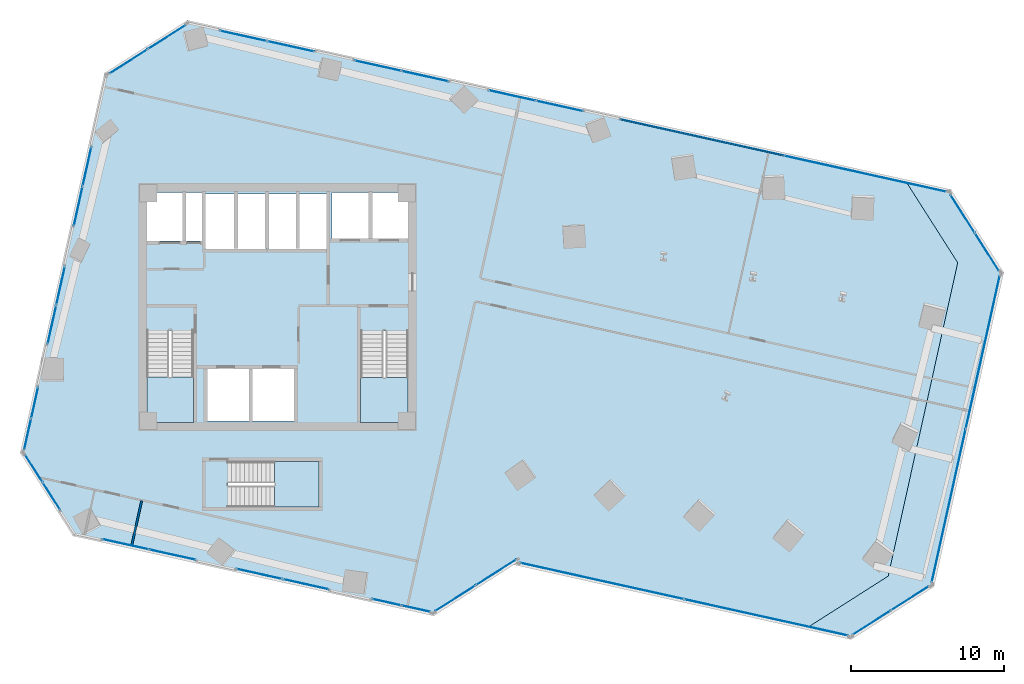
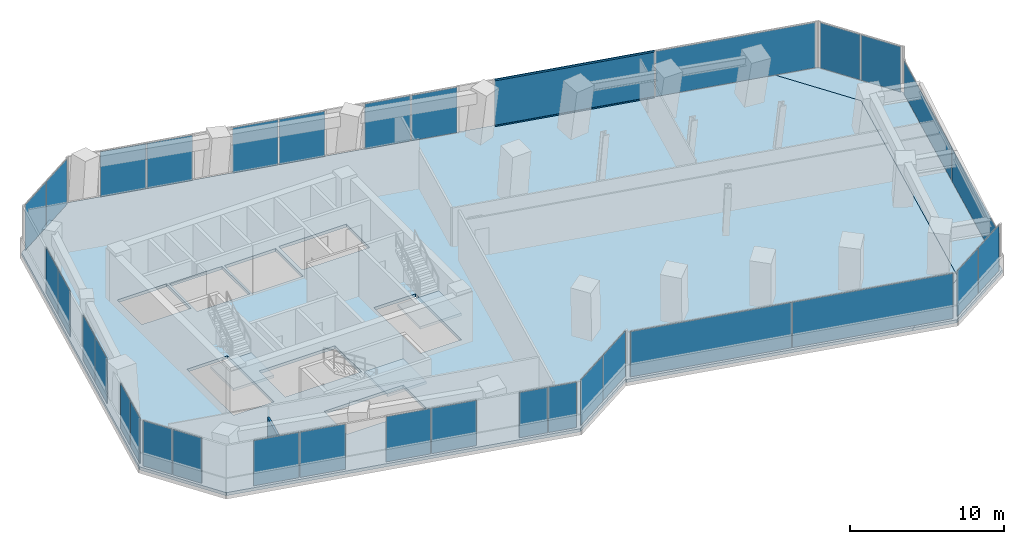
# One storey, part 19 of 25: 34 plates, 5 slabs, 2 members, 1 wall, 20 elements without a shape of their own.
"""IFC4 building model written with IfcOpenShell, lengths in metres."""

from ifc_helpers import new_model, si_unit, direction, frame, frame_2d, origin, origin_2d, place, context, subcontext, project, spatial, polyline, rectangle, hollow_rectangle, outline, extrude, source, transform, mapped, material, layer, layer_set, material_profile, profile_set, type_object, element, aggregate, save


model = new_model("IFC4")

# Units and contexts
model_context = context("Model", 3, precision=1e-05, world=origin(), true_north=direction((0.0, 1.0)))
body_context = subcontext(model_context, "Body", "Model", "MODEL_VIEW")
ifc_project = project(units=[si_unit("LENGTHUNIT", "METRE"), si_unit("AREAUNIT", "SQUARE_METRE"), si_unit("VOLUMEUNIT", "CUBIC_METRE"), si_unit("PLANEANGLEUNIT", "RADIAN"), si_unit("MASSUNIT", "GRAM", prefix="KILO")], contexts=[model_context])

# Site, building, storey
site_placement = place(None, origin())
site = spatial("IfcSite", under=ifc_project, at=site_placement, CompositionType="ELEMENT")
building_placement = place(site_placement, origin())
building = spatial("IfcBuilding", under=site, at=building_placement, Name="Torre Montelarca", CompositionType="ELEMENT")
storey_placement = place(building_placement, frame((0.0, 0.0, 91.60009765625)))
storey = spatial("IfcBuildingStorey", under=building, at=storey_placement, Name="L20", CompositionType="ELEMENT", Elevation=91.60009765625)

# Curtain wall, members
ifc_material_1 = material(Name="Insulated low-E laminated glass", Category="glass")
curtain_wall_type = type_object("IfcCurtainWallType", Name="CW-SYS-Z1", PredefinedType="USERDEFINED", material=ifc_material_1)
curtain_wall_1_placement = place(storey_placement, origin())
curtain_wall_1 = element("IfcCurtainWall", 1, at=curtain_wall_1_placement, inside=storey, type_object=curtain_wall_type, Name="L20 Curtain Wall Run CW-T3-L20-E08-B1", ObjectType="UNITISED GLAZING", PredefinedType="USERDEFINED")
ifc_material_2 = material(Name="Anodised aluminium AA 6063-T6", Category="aluminium")
ifc_material_profile = material_profile(ifc_material_2, hollow_rectangle(XDim=0.06494140625, YDim=0.139892578125, WallThickness=0.00390625, InnerFilletRadius=0.00390625, OuterFilletRadius=0.008056640625, at=origin_2d()), Name="ALU65X140X4", Category="aluminium")
ifc_profile_set = profile_set([ifc_material_profile], Name="Anodised aluminium AA 6063-T6")
member_type = type_object("IfcMemberType", Name="CWT-ALU140", PredefinedType="USERDEFINED", material=ifc_profile_set)
shared_shape_1 = source(origin(), body_context, "Body", "SweptSolid", [
    extrude(hollow_rectangle(XDim=0.06494140625, YDim=0.139892578125, WallThickness=0.00390625, InnerFilletRadius=0.00390625, OuterFilletRadius=0.008056640625, at=origin_2d()), origin(), (0.0, 0.0, 1.0), 10.873046875),
])
member_1_placement = place(storey_placement, frame((51.075927734375, 41.9033203125, 0.032470703125), z_axis=(-0.976297354278, 0.21643353721, 0.0), x_axis=(-0.21643353721, -0.976297354278, 0.0)))
member_1 = element("IfcMember", 2, at=member_1_placement, type_object=member_type, Name="CW transom 2.1", ObjectType="TRANSOM", PredefinedType="USERDEFINED", context=body_context, shape_type="MappedRepresentation", body=[
    mapped(shared_shape_1, transform((0.0, 0.0, 0.0), scale=1.0)),
])
member_2_placement = place(storey_placement, frame((51.075927734375, 41.9033203125, 3.6875), z_axis=(-0.976297354278, 0.21643353721, 0.0), x_axis=(-0.21643353721, -0.976297354278, 0.0)))
member_2 = element("IfcMember", 3, at=member_2_placement, type_object=member_type, Name="CW transom 2.2", ObjectType="TRANSOM", PredefinedType="USERDEFINED", context=body_context, shape_type="MappedRepresentation", body=[
    mapped(shared_shape_1, transform((0.0, 0.0, 0.0), scale=1.0)),
])

# Slabs
ifc_material_3 = material(Name="Concrete C40/50", Category="concrete")
ifc_layer_1 = layer(ifc_material_3, 0.239990234375, Name="Concrete C40/50", Category="concrete")
ifc_layer_set_1 = layer_set([ifc_layer_1], Name="Concrete C40/50")
slab_type_1 = type_object("IfcSlabType", Name="SL-FLR-240", PredefinedType="FLOOR", material=ifc_layer_set_1)
slab_1_placement = place(storey_placement, frame((0.0, 0.0, -0.239990234375)))
element("IfcSlab", 4, at=slab_1_placement, inside=storey, type_object=slab_type_1, Name="L20 Structural Floor Slab", PredefinedType="FLOOR", context=body_context, shape_type="SweptSolid", body=[
    extrude(outline(polyline([(28.202392578125, 11.872314453125), (33.569580078125, 15.29150390625), (33.548095703125, 15.19384765625), (52.5859375, 10.973388671875), (57.953125, 14.392578125), (62.498291015625, 34.89501953125), (59.0791015625, 40.26220703125), (12.119140625, 50.673095703125), (6.751953125, 47.253662109375), (1.25439453125, 22.455810546875), (4.673583984375, 17.08837890625), (28.202392578125, 11.872314453125)]), holes=[polyline([(20.699951171875, 18.89990234375), (14.760009765625, 18.89990234375), (14.760009765625, 21.889892578125), (20.699951171875, 21.889892578125), (20.699951171875, 18.89990234375)]), polyline([(19.10009765625, 24.550048828125), (13.39990234375, 24.550048828125), (13.39990234375, 27.949951171875), (19.10009765625, 27.949951171875), (19.10009765625, 24.550048828125)]), polyline([(23.43994140625, 24.449951171875), (23.43994140625, 30.429931640625), (26.550048828125, 30.429931640625), (26.550048828125, 24.449951171875), (23.43994140625, 24.449951171875)]), polyline([(9.449951171875, 24.449951171875), (9.449951171875, 30.4599609375), (12.5, 30.4599609375), (12.5, 24.449951171875), (9.449951171875, 24.449951171875)]), polyline([(17.25, 35.800048828125), (13.300048828125, 35.800048828125), (13.300048828125, 39.39990234375), (17.25, 39.39990234375), (17.25, 35.800048828125)]), polyline([(21.25, 35.800048828125), (17.39990234375, 35.800048828125), (17.39990234375, 39.39990234375), (21.25, 39.39990234375), (21.25, 35.800048828125)]), polyline([(13.1201171875, 36.300048828125), (9.449951171875, 36.300048828125), (9.449951171875, 39.5), (13.1201171875, 39.5), (13.1201171875, 36.300048828125)]), polyline([(26.60009765625, 36.449951171875), (21.550048828125, 36.449951171875), (21.550048828125, 39.5), (26.60009765625, 39.5), (26.60009765625, 36.449951171875)])]), origin(), (0.0, 0.0, 1.0), 0.239990234375),
])
slab_2_placement = place(storey_placement, frame((0.0, 0.0, -0.239990234375)))
element("IfcSlab", 5, at=slab_2_placement, inside=storey, type_object=slab_type_1, Name="L20 Sliding Tray Winter Garden Floor Slab E1", PredefinedType="FLOOR", context=body_context, shape_type="SweptSolid", body=[
    extrude(outline(polyline([(59.0791015625, 40.26220703125), (62.498291015625, 34.89501953125), (57.953125, 14.392578125), (52.5859375, 10.973388671875), (55.514892578125, 10.32421875), (60.882080078125, 13.743408203125), (65.42724609375, 34.24560546875), (62.0078125, 39.61279296875), (59.0791015625, 40.26220703125)])), origin(), (0.0, 0.0, 1.0), 0.239990234375),
])

# Stair, slab
stair_type_1 = type_object("IfcStairType", Name="ST-CORE-ST1", PredefinedType="HALF_TURN_STAIR", material=ifc_material_3)
stair_1_placement = place(storey_placement, origin())
stair_1 = element("IfcStair", 6, at=stair_1_placement, inside=storey, type_object=stair_type_1, Name="L20 Protected Exit Stair ST1", PredefinedType="HALF_TURN_STAIR")
ifc_layer_2 = layer(ifc_material_3, 0.199951171875, Name="Concrete C40/50", Category="concrete")
ifc_layer_set_2 = layer_set([ifc_layer_2], Name="Concrete C40/50")
slab_type_2 = type_object("IfcSlabType", Name="SL-ST-LAND-ST1", PredefinedType="LANDING", material=ifc_layer_set_2)
slab_3_placement = place(storey_placement, frame((0.0, 0.0, 1.89990234375)))
slab_3 = element("IfcSlab", 7, at=slab_3_placement, type_object=slab_type_2, Name="ST1 landing 1", PredefinedType="LANDING", context=body_context, shape_type="SweptSolid", body=[
    extrude(outline(polyline([(9.449951171875, 27.419921875), (9.449951171875, 24.449951171875), (12.5, 24.449951171875), (12.5, 27.419921875), (9.449951171875, 27.419921875)])), origin(), (0.0, 0.0, 1.0), 0.199951171875),
])
aggregate(stair_1, [slab_3])

stair_type_2 = type_object("IfcStairType", Name="ST-CORE-ST2", PredefinedType="HALF_TURN_STAIR", material=ifc_material_3)
stair_2_placement = place(storey_placement, origin())
stair_2 = element("IfcStair", 8, at=stair_2_placement, inside=storey, type_object=stair_type_2, Name="L20 Protected Exit Stair ST2", PredefinedType="HALF_TURN_STAIR")
ifc_layer_3 = layer(ifc_material_3, 0.199951171875, Name="Concrete C40/50", Category="concrete")
ifc_layer_set_3 = layer_set([ifc_layer_3], Name="Concrete C40/50")
slab_type_3 = type_object("IfcSlabType", Name="SL-ST-LAND-ST2", PredefinedType="LANDING", material=ifc_layer_set_3)
slab_4_placement = place(storey_placement, frame((0.0, 0.0, 1.89990234375)))
slab_4 = element("IfcSlab", 9, at=slab_4_placement, type_object=slab_type_3, Name="ST2 landing 1", PredefinedType="LANDING", context=body_context, shape_type="SweptSolid", body=[
    extrude(outline(polyline([(23.43994140625, 27.389892578125), (23.43994140625, 24.449951171875), (26.550048828125, 24.449951171875), (26.550048828125, 27.389892578125), (23.43994140625, 27.389892578125)])), origin(), (0.0, 0.0, 1.0), 0.199951171875),
])
aggregate(stair_2, [slab_4])

stair_type_3 = type_object("IfcStairType", Name="ST-CORE-ST3", PredefinedType="HALF_TURN_STAIR", material=ifc_material_3)
stair_3_placement = place(storey_placement, origin())
stair_3 = element("IfcStair", 10, at=stair_3_placement, inside=storey, type_object=stair_type_3, Name="L20 Low-Rise Exit Stair ST3", PredefinedType="HALF_TURN_STAIR")
ifc_layer_4 = layer(ifc_material_3, 0.199951171875, Name="Concrete C40/50", Category="concrete")
ifc_layer_set_4 = layer_set([ifc_layer_4], Name="Concrete C40/50")
slab_type_4 = type_object("IfcSlabType", Name="SL-ST-LAND-ST3", PredefinedType="LANDING", material=ifc_layer_set_4)
slab_5_placement = place(storey_placement, frame((0.0, 0.0, 1.89990234375)))
slab_5 = element("IfcSlab", 11, at=slab_5_placement, type_object=slab_type_4, Name="ST3 landing 1", PredefinedType="LANDING", context=body_context, shape_type="SweptSolid", body=[
    extrude(outline(polyline([(17.800048828125, 18.89990234375), (20.699951171875, 18.89990234375), (20.699951171875, 21.889892578125), (17.800048828125, 21.889892578125), (17.800048828125, 18.89990234375)])), origin(), (0.0, 0.0, 1.0), 0.199951171875),
])
aggregate(stair_3, [slab_5])

# Curtain wall, plates
curtain_wall_2_placement = place(storey_placement, origin())
curtain_wall_2 = element("IfcCurtainWall", 12, at=curtain_wall_2_placement, inside=storey, type_object=curtain_wall_type, Name="L20 Curtain Wall Run CW-T3-L20-E02-B1", ObjectType="UNITISED GLAZING", PredefinedType="USERDEFINED")
ifc_layer_5 = layer(ifc_material_1, 0.028076171875, Name="Insulated low-E laminated glass", Category="glass")
ifc_layer_set_5 = layer_set([ifc_layer_5], Name="Insulated low-E laminated glass")
plate_type = type_object("IfcPlateType", Name="CWP-GLZ-28", PredefinedType="CURTAIN_PANEL", material=ifc_layer_set_5)
shared_shape_2 = source(origin(), body_context, "Body", "SweptSolid", [
    extrude(rectangle(XDim=3.102294921875, YDim=0.028076171875, at=origin_2d()), origin(), (0.0, 0.0, 1.0), 3.590087890625),
])
plate_1_placement = place(storey_placement, frame((29.635498046875, 12.939208984375, 0.06494140625), z_axis=(0.0, 0.0, 1.0), x_axis=(0.843383425571, 0.537312197398, 0.0)))
plate_1 = element("IfcPlate", 13, at=plate_1_placement, type_object=plate_type, Name="CW panel 1.1", PredefinedType="CURTAIN_PANEL", context=body_context, shape_type="MappedRepresentation", body=[
    mapped(shared_shape_2, transform((0.0, 0.0, 0.0), scale=1.0)),
])
plate_2_placement = place(storey_placement, frame((32.306884765625, 14.64111328125, 0.06494140625), z_axis=(0.0, 0.0, 1.0), x_axis=(0.843383425571, 0.537312197398, 0.0)))
plate_2 = element("IfcPlate", 14, at=plate_2_placement, type_object=plate_type, Name="CW panel 2.1", PredefinedType="CURTAIN_PANEL", context=body_context, shape_type="MappedRepresentation", body=[
    mapped(shared_shape_2, transform((0.0, 0.0, 0.0), scale=1.0)),
])
aggregate(curtain_wall_2, [plate_1, plate_2])

curtain_wall_3_placement = place(storey_placement, origin())
curtain_wall_3 = element("IfcCurtainWall", 15, at=curtain_wall_3_placement, inside=storey, type_object=curtain_wall_type, Name="L20 Curtain Wall Run CW-T3-L20-E04-B1", ObjectType="UNITISED GLAZING", PredefinedType="USERDEFINED")
shared_shape_3 = source(origin(), body_context, "Body", "SweptSolid", [
    extrude(rectangle(XDim=10.94873046875, YDim=0.028076171875, at=origin_2d()), origin(), (0.0, 0.0, 1.0), 3.590087890625),
])
plate_3_placement = place(storey_placement, frame((39.220458984375, 14.069580078125, 0.06494140625), z_axis=(0.0, 0.0, 1.0), x_axis=(0.976296635237, -0.216436780664, 0.0)))
plate_3 = element("IfcPlate", 16, at=plate_3_placement, type_object=plate_type, Name="CW panel 1.1", PredefinedType="CURTAIN_PANEL", context=body_context, shape_type="MappedRepresentation", body=[
    mapped(shared_shape_3, transform((0.0, 0.0, 0.0), scale=1.0)),
])
plate_4_placement = place(storey_placement, frame((49.97314453125, 11.685791015625, 0.06494140625), z_axis=(0.0, 0.0, 1.0), x_axis=(0.976296635237, -0.216436780664, 0.0)))
plate_4 = element("IfcPlate", 17, at=plate_4_placement, type_object=plate_type, Name="CW panel 2.1", PredefinedType="CURTAIN_PANEL", context=body_context, shape_type="MappedRepresentation", body=[
    mapped(shared_shape_3, transform((0.0, 0.0, 0.0), scale=1.0)),
])
aggregate(curtain_wall_3, [plate_3, plate_4])

curtain_wall_4_placement = place(storey_placement, origin())
curtain_wall_4 = element("IfcCurtainWall", 18, at=curtain_wall_4_placement, inside=storey, type_object=curtain_wall_type, Name="L20 Curtain Wall Run CW-T3-L20-E05-B1", ObjectType="UNITISED GLAZING", PredefinedType="USERDEFINED")
shared_shape_4 = source(origin(), body_context, "Body", "SweptSolid", [
    extrude(rectangle(XDim=2.918701171875, YDim=0.028076171875, at=origin_2d()), origin(), (0.0, 0.0, 1.0), 3.590087890625),
])
plate_5_placement = place(storey_placement, frame((56.870361328125, 11.341796875, 0.06494140625), z_axis=(0.0, 0.0, 1.0), x_axis=(0.843388340222, 0.537304483117, 0.0)))
plate_5 = element("IfcPlate", 19, at=plate_5_placement, type_object=plate_type, Name="CW panel 1.1", PredefinedType="CURTAIN_PANEL", context=body_context, shape_type="MappedRepresentation", body=[
    mapped(shared_shape_4, transform((0.0, 0.0, 0.0), scale=1.0)),
])
plate_6_placement = place(storey_placement, frame((59.38671875, 12.945068359375, 0.06494140625), z_axis=(0.0, 0.0, 1.0), x_axis=(0.843388340222, 0.537304483117, 0.0)))
plate_6 = element("IfcPlate", 20, at=plate_6_placement, type_object=plate_type, Name="CW panel 2.1", PredefinedType="CURTAIN_PANEL", context=body_context, shape_type="MappedRepresentation", body=[
    mapped(shared_shape_4, transform((0.0, 0.0, 0.0), scale=1.0)),
])
aggregate(curtain_wall_4, [plate_5, plate_6])

curtain_wall_5_placement = place(storey_placement, origin())
curtain_wall_5 = element("IfcCurtainWall", 21, at=curtain_wall_5_placement, inside=storey, type_object=curtain_wall_type, Name="L20 Curtain Wall Run CW-T3-L20-E07-B1", ObjectType="UNITISED GLAZING", PredefinedType="USERDEFINED")
plate_7_placement = place(storey_placement, frame((64.409423828125, 35.601318359375, 0.06494140625), z_axis=(0.0, 0.0, 1.0), x_axis=(-0.537316274487, 0.843380828079, 0.0)))
plate_7 = element("IfcPlate", 22, at=plate_7_placement, type_object=plate_type, Name="CW panel 1.1", PredefinedType="CURTAIN_PANEL", context=body_context, shape_type="MappedRepresentation", body=[
    mapped(shared_shape_4, transform((0.0, 0.0, 0.0), scale=1.0)),
])
plate_8_placement = place(storey_placement, frame((62.806396484375, 38.11767578125, 0.06494140625), z_axis=(0.0, 0.0, 1.0), x_axis=(-0.537316274487, 0.843380828079, 0.0)))
plate_8 = element("IfcPlate", 23, at=plate_8_placement, type_object=plate_type, Name="CW panel 2.1", PredefinedType="CURTAIN_PANEL", context=body_context, shape_type="MappedRepresentation", body=[
    mapped(shared_shape_4, transform((0.0, 0.0, 0.0), scale=1.0)),
])
aggregate(curtain_wall_5, [plate_7, plate_8])

curtain_wall_6_placement = place(storey_placement, origin())
curtain_wall_6 = element("IfcCurtainWall", 24, at=curtain_wall_6_placement, inside=storey, type_object=curtain_wall_type, Name="L20 Curtain Wall Run CW-T3-L20-E09-B1", ObjectType="UNITISED GLAZING", PredefinedType="USERDEFINED")
plate_9_placement = place(storey_placement, frame((10.763671875, 49.6552734375, 0.06494140625), z_axis=(0.0, 0.0, 1.0), x_axis=(-0.843380828079, -0.537316274487, 0.0)))
plate_9 = element("IfcPlate", 25, at=plate_9_placement, type_object=plate_type, Name="CW panel 1.1", PredefinedType="CURTAIN_PANEL", context=body_context, shape_type="MappedRepresentation", body=[
    mapped(shared_shape_4, transform((0.0, 0.0, 0.0), scale=1.0)),
])
plate_10_placement = place(storey_placement, frame((8.247314453125, 48.052001953125, 0.06494140625), z_axis=(0.0, 0.0, 1.0), x_axis=(-0.843380828079, -0.537316274487, 0.0)))
plate_10 = element("IfcPlate", 26, at=plate_10_placement, type_object=plate_type, Name="CW panel 2.1", PredefinedType="CURTAIN_PANEL", context=body_context, shape_type="MappedRepresentation", body=[
    mapped(shared_shape_4, transform((0.0, 0.0, 0.0), scale=1.0)),
])
aggregate(curtain_wall_6, [plate_9, plate_10])

# Plate
shared_shape_5 = source(origin(), body_context, "Body", "SweptSolid", [
    extrude(rectangle(XDim=10.872802734375, YDim=0.028076171875, at=origin_2d()), origin(), (0.0, 0.0, 1.0), 3.590087890625),
])
plate_11_placement = place(storey_placement, frame((56.44677734375, 40.712646484375, 0.06494140625), z_axis=(0.0, 0.0, 1.0), x_axis=(-0.976295358863, 0.216442538014, 0.0)))
plate_11 = element("IfcPlate", 27, at=plate_11_placement, type_object=plate_type, Name="CW panel 1.1", PredefinedType="CURTAIN_PANEL", context=body_context, shape_type="MappedRepresentation", body=[
    mapped(shared_shape_5, transform((0.0, 0.0, 0.0), scale=1.0)),
])

plate_12_placement = place(storey_placement, frame((45.768310546875, 43.080078125, 0.06494140625), z_axis=(0.0, 0.0, 1.0), x_axis=(-0.976295358863, 0.216442538014, 0.0)))
plate_12 = element("IfcPlate", 28, at=plate_12_placement, type_object=plate_type, Name="CW panel 2.1", PredefinedType="CURTAIN_PANEL", context=body_context, shape_type="MappedRepresentation", body=[
    mapped(shared_shape_5, transform((0.0, 0.0, 0.0), scale=1.0)),
])

aggregate(curtain_wall_1, [plate_11, member_1, member_2, plate_12])

# Curtain wall, plates
curtain_wall_7_placement = place(storey_placement, origin())
curtain_wall_7 = element("IfcCurtainWall", 29, at=curtain_wall_7_placement, inside=storey, type_object=curtain_wall_type, Name="L20 Curtain Wall Run CW-T3-L20-E08-B2", ObjectType="UNITISED GLAZING", PredefinedType="USERDEFINED")
shared_shape_6 = source(origin(), body_context, "Body", "SweptSolid", [
    extrude(rectangle(XDim=3.10791015625, YDim=0.028076171875, at=origin_2d()), origin(), (0.0, 0.0, 1.0), 3.590087890625),
])
plate_13_placement = place(storey_placement, frame((36.45068359375, 45.1455078125, 0.06494140625), z_axis=(0.0, 0.0, 1.0), x_axis=(-0.976294844373, 0.216444858684, 0.0)))
plate_13 = element("IfcPlate", 30, at=plate_13_placement, type_object=plate_type, Name="CW panel 1.1", PredefinedType="CURTAIN_PANEL", context=body_context, shape_type="MappedRepresentation", body=[
    mapped(shared_shape_6, transform((0.0, 0.0, 0.0), scale=1.0)),
])
plate_14_placement = place(storey_placement, frame((33.35302734375, 45.832275390625, 0.06494140625), z_axis=(0.0, 0.0, 1.0), x_axis=(-0.976294844373, 0.216444858684, 0.0)))
plate_14 = element("IfcPlate", 31, at=plate_14_placement, type_object=plate_type, Name="CW panel 2.1", PredefinedType="CURTAIN_PANEL", context=body_context, shape_type="MappedRepresentation", body=[
    mapped(shared_shape_6, transform((0.0, 0.0, 0.0), scale=1.0)),
])
aggregate(curtain_wall_7, [plate_13, plate_14])

curtain_wall_8_placement = place(storey_placement, origin())
curtain_wall_8 = element("IfcCurtainWall", 32, at=curtain_wall_8_placement, inside=storey, type_object=curtain_wall_type, Name="L20 Curtain Wall Run CW-T3-L20-E08-B3", ObjectType="UNITISED GLAZING", PredefinedType="USERDEFINED")
shared_shape_7 = source(origin(), body_context, "Body", "SweptSolid", [
    extrude(rectangle(XDim=3.10693359375, YDim=0.028076171875, at=origin_2d()), origin(), (0.0, 0.0, 1.0), 3.590087890625),
])
plate_15_placement = place(storey_placement, frame((27.66455078125, 47.093505859375, 0.06494140625), z_axis=(0.0, 0.0, 1.0), x_axis=(-0.976295979596, 0.216439738088, 0.0)))
plate_15 = element("IfcPlate", 33, at=plate_15_placement, type_object=plate_type, Name="CW panel 1.1", PredefinedType="CURTAIN_PANEL", context=body_context, shape_type="MappedRepresentation", body=[
    mapped(shared_shape_7, transform((0.0, 0.0, 0.0), scale=1.0)),
])
plate_16_placement = place(storey_placement, frame((24.56787109375, 47.780029296875, 0.06494140625), z_axis=(0.0, 0.0, 1.0), x_axis=(-0.976295979596, 0.216439738088, 0.0)))
plate_16 = element("IfcPlate", 34, at=plate_16_placement, type_object=plate_type, Name="CW panel 2.1", PredefinedType="CURTAIN_PANEL", context=body_context, shape_type="MappedRepresentation", body=[
    mapped(shared_shape_7, transform((0.0, 0.0, 0.0), scale=1.0)),
])
aggregate(curtain_wall_8, [plate_15, plate_16])

curtain_wall_9_placement = place(storey_placement, origin())
curtain_wall_9 = element("IfcCurtainWall", 35, at=curtain_wall_9_placement, inside=storey, type_object=curtain_wall_type, Name="L20 Curtain Wall Run CW-T3-L20-E08-B4", ObjectType="UNITISED GLAZING", PredefinedType="USERDEFINED")
shared_shape_8 = source(origin(), body_context, "Body", "SweptSolid", [
    extrude(rectangle(XDim=3.105712890625, YDim=0.028076171875, at=origin_2d()), origin(), (0.0, 0.0, 1.0), 3.590087890625),
])
plate_17_placement = place(storey_placement, frame((18.87841796875, 49.041259765625, 0.06494140625), z_axis=(0.0, 0.0, 1.0), x_axis=(-0.976296384352, 0.216437912348, 0.0)))
plate_17 = element("IfcPlate", 36, at=plate_17_placement, type_object=plate_type, Name="CW panel 1.1", PredefinedType="CURTAIN_PANEL", context=body_context, shape_type="MappedRepresentation", body=[
    mapped(shared_shape_8, transform((0.0, 0.0, 0.0), scale=1.0)),
])
plate_18_placement = place(storey_placement, frame((15.78271484375, 49.7275390625, 0.06494140625), z_axis=(0.0, 0.0, 1.0), x_axis=(-0.976296384352, 0.216437912348, 0.0)))
plate_18 = element("IfcPlate", 37, at=plate_18_placement, type_object=plate_type, Name="CW panel 2.1", PredefinedType="CURTAIN_PANEL", context=body_context, shape_type="MappedRepresentation", body=[
    mapped(shared_shape_8, transform((0.0, 0.0, 0.0), scale=1.0)),
])
aggregate(curtain_wall_9, [plate_17, plate_18])

curtain_wall_10_placement = place(storey_placement, origin())
curtain_wall_10 = element("IfcCurtainWall", 38, at=curtain_wall_10_placement, inside=storey, type_object=curtain_wall_type, Name="L20 Curtain Wall Run CW-T3-L20-E10-B1", ObjectType="UNITISED GLAZING", PredefinedType="USERDEFINED")
shared_shape_9 = source(origin(), body_context, "Body", "SweptSolid", [
    extrude(rectangle(XDim=2.588623046875, YDim=0.028076171875, at=origin_2d()), origin(), (0.0, 0.0, 1.0), 3.590087890625),
])
plate_19_placement = place(storey_placement, frame((5.539306640625, 41.182861328125, 0.06494140625), z_axis=(0.0, 0.0, 1.0), x_axis=(-0.216455461452, -0.976292493676, 0.0)))
plate_19 = element("IfcPlate", 39, at=plate_19_placement, type_object=plate_type, Name="CW panel 1.1", PredefinedType="CURTAIN_PANEL", context=body_context, shape_type="MappedRepresentation", body=[
    mapped(shared_shape_9, transform((0.0, 0.0, 0.0), scale=1.0)),
])
plate_20_placement = place(storey_placement, frame((4.96484375, 38.592041015625, 0.06494140625), z_axis=(0.0, 0.0, 1.0), x_axis=(-0.216455461452, -0.976292493676, 0.0)))
plate_20 = element("IfcPlate", 40, at=plate_20_placement, type_object=plate_type, Name="CW panel 2.1", PredefinedType="CURTAIN_PANEL", context=body_context, shape_type="MappedRepresentation", body=[
    mapped(shared_shape_9, transform((0.0, 0.0, 0.0), scale=1.0)),
])
aggregate(curtain_wall_10, [plate_19, plate_20])

curtain_wall_11_placement = place(storey_placement, origin())
curtain_wall_11 = element("IfcCurtainWall", 41, at=curtain_wall_11_placement, inside=storey, type_object=curtain_wall_type, Name="L20 Curtain Wall Run CW-T3-L20-E10-B2", ObjectType="UNITISED GLAZING", PredefinedType="USERDEFINED")
shared_shape_10 = source(origin(), body_context, "Body", "SweptSolid", [
    extrude(rectangle(XDim=2.55029296875, YDim=0.028076171875, at=origin_2d()), origin(), (0.0, 0.0, 1.0), 3.590087890625),
])
plate_21_placement = place(storey_placement, frame((3.811767578125, 33.391357421875, 0.06494140625), z_axis=(0.0, 0.0, 1.0), x_axis=(-0.216432551538, -0.97629757279, 0.0)))
plate_21 = element("IfcPlate", 42, at=plate_21_placement, type_object=plate_type, Name="CW panel 1.1", PredefinedType="CURTAIN_PANEL", context=body_context, shape_type="MappedRepresentation", body=[
    mapped(shared_shape_10, transform((0.0, 0.0, 0.0), scale=1.0)),
])
plate_22_placement = place(storey_placement, frame((3.245849609375, 30.838134765625, 0.06494140625), z_axis=(0.0, 0.0, 1.0), x_axis=(-0.216432551538, -0.97629757279, 0.0)))
plate_22 = element("IfcPlate", 43, at=plate_22_placement, type_object=plate_type, Name="CW panel 2.1", PredefinedType="CURTAIN_PANEL", context=body_context, shape_type="MappedRepresentation", body=[
    mapped(shared_shape_10, transform((0.0, 0.0, 0.0), scale=1.0)),
])
aggregate(curtain_wall_11, [plate_21, plate_22])

curtain_wall_12_placement = place(storey_placement, origin())
curtain_wall_12 = element("IfcCurtainWall", 44, at=curtain_wall_12_placement, inside=storey, type_object=curtain_wall_type, Name="L20 Curtain Wall Run CW-T3-L20-E10-B3", ObjectType="UNITISED GLAZING", PredefinedType="USERDEFINED")
shared_shape_11 = source(origin(), body_context, "Body", "SweptSolid", [
    extrude(rectangle(XDim=2.067138671875, YDim=0.028076171875, at=origin_2d()), origin(), (0.0, 0.0, 1.0), 3.590087890625),
])
plate_23_placement = place(storey_placement, frame((2.116455078125, 25.743408203125, 0.06494140625), z_axis=(0.0, 0.0, 1.0), x_axis=(-0.216458402676, -0.976291841567, 0.0)))
plate_23 = element("IfcPlate", 45, at=plate_23_placement, type_object=plate_type, Name="CW panel 1.1", PredefinedType="CURTAIN_PANEL", context=body_context, shape_type="MappedRepresentation", body=[
    mapped(shared_shape_11, transform((0.0, 0.0, 0.0), scale=1.0)),
])
plate_24_placement = place(storey_placement, frame((1.65478515625, 23.661865234375, 0.06494140625), z_axis=(0.0, 0.0, 1.0), x_axis=(-0.216458402676, -0.976291841567, 0.0)))
plate_24 = element("IfcPlate", 46, at=plate_24_placement, type_object=plate_type, Name="CW panel 2.1", PredefinedType="CURTAIN_PANEL", context=body_context, shape_type="MappedRepresentation", body=[
    mapped(shared_shape_11, transform((0.0, 0.0, 0.0), scale=1.0)),
])
aggregate(curtain_wall_12, [plate_23, plate_24])

curtain_wall_13_placement = place(storey_placement, origin())
curtain_wall_13 = element("IfcCurtainWall", 47, at=curtain_wall_13_placement, inside=storey, type_object=curtain_wall_type, Name="L20 Curtain Wall Run CW-T3-L20-E11-B1", ObjectType="UNITISED GLAZING", PredefinedType="USERDEFINED")
shared_shape_12 = source(origin(), body_context, "Body", "SweptSolid", [
    extrude(rectangle(XDim=2.10107421875, YDim=0.028076171875, at=origin_2d()), origin(), (0.0, 0.0, 1.0), 3.590087890625),
])
plate_25_placement = place(storey_placement, frame((2.052490234375, 21.44482421875, 0.06494140625), z_axis=(0.0, 0.0, 1.0), x_axis=(0.53731394829, -0.84338231009, 0.0)))
plate_25 = element("IfcPlate", 48, at=plate_25_placement, type_object=plate_type, Name="CW panel 1.1", PredefinedType="CURTAIN_PANEL", context=body_context, shape_type="MappedRepresentation", body=[
    mapped(shared_shape_12, transform((0.0, 0.0, 0.0), scale=1.0)),
])
plate_26_placement = place(storey_placement, frame((3.21630859375, 19.6181640625, 0.06494140625), z_axis=(0.0, 0.0, 1.0), x_axis=(0.53731394829, -0.84338231009, 0.0)))
plate_26 = element("IfcPlate", 49, at=plate_26_placement, type_object=plate_type, Name="CW panel 2.1", PredefinedType="CURTAIN_PANEL", context=body_context, shape_type="MappedRepresentation", body=[
    mapped(shared_shape_12, transform((0.0, 0.0, 0.0), scale=1.0)),
])
aggregate(curtain_wall_13, [plate_25, plate_26])

curtain_wall_14_placement = place(storey_placement, origin())
curtain_wall_14 = element("IfcCurtainWall", 50, at=curtain_wall_14_placement, inside=storey, type_object=curtain_wall_type, Name="L20 Curtain Wall Run CW-T3-L20-E01-B3", ObjectType="UNITISED GLAZING", PredefinedType="USERDEFINED")
shared_shape_13 = source(origin(), body_context, "Body", "SweptSolid", [
    extrude(rectangle(XDim=1.9169921875, YDim=0.028076171875, at=origin_2d()), origin(), (0.0, 0.0, 1.0), 3.590087890625),
])
plate_27_placement = place(storey_placement, frame((25.13427734375, 12.685546875, 0.06494140625), z_axis=(0.0, 0.0, 1.0), x_axis=(0.976294973664, -0.216444275505, 0.0)))
plate_27 = element("IfcPlate", 51, at=plate_27_placement, type_object=plate_type, Name="CW panel 1.1", PredefinedType="CURTAIN_PANEL", context=body_context, shape_type="MappedRepresentation", body=[
    mapped(shared_shape_13, transform((0.0, 0.0, 0.0), scale=1.0)),
])
plate_28_placement = place(storey_placement, frame((27.0693359375, 12.256591796875, 0.06494140625), z_axis=(0.0, 0.0, 1.0), x_axis=(0.976294973664, -0.216444275505, 0.0)))
plate_28 = element("IfcPlate", 52, at=plate_28_placement, type_object=plate_type, Name="CW panel 2.1", PredefinedType="CURTAIN_PANEL", context=body_context, shape_type="MappedRepresentation", body=[
    mapped(shared_shape_13, transform((0.0, 0.0, 0.0), scale=1.0)),
])
aggregate(curtain_wall_14, [plate_27, plate_28])

curtain_wall_15_placement = place(storey_placement, origin())
curtain_wall_15 = element("IfcCurtainWall", 53, at=curtain_wall_15_placement, inside=storey, type_object=curtain_wall_type, Name="L20 Curtain Wall Run CW-T3-L20-E01-B2", ObjectType="UNITISED GLAZING", PredefinedType="USERDEFINED")
shared_shape_14 = source(origin(), body_context, "Body", "SweptSolid", [
    extrude(rectangle(XDim=3.046875, YDim=0.028076171875, at=origin_2d()), origin(), (0.0, 0.0, 1.0), 3.590087890625),
])
plate_29_placement = place(storey_placement, frame((16.825927734375, 14.527587890625, 0.06494140625), z_axis=(0.0, 0.0, 1.0), x_axis=(0.97629581832, -0.216440465559, 0.0)))
plate_29 = element("IfcPlate", 54, at=plate_29_placement, type_object=plate_type, Name="CW panel 1.1", PredefinedType="CURTAIN_PANEL", context=body_context, shape_type="MappedRepresentation", body=[
    mapped(shared_shape_14, transform((0.0, 0.0, 0.0), scale=1.0)),
])
plate_30_placement = place(storey_placement, frame((19.86376953125, 13.85400390625, 0.06494140625), z_axis=(0.0, 0.0, 1.0), x_axis=(0.97629581832, -0.216440465559, 0.0)))
plate_30 = element("IfcPlate", 55, at=plate_30_placement, type_object=plate_type, Name="CW panel 2.1", PredefinedType="CURTAIN_PANEL", context=body_context, shape_type="MappedRepresentation", body=[
    mapped(shared_shape_14, transform((0.0, 0.0, 0.0), scale=1.0)),
])
aggregate(curtain_wall_15, [plate_29, plate_30])

curtain_wall_16_placement = place(storey_placement, origin())
curtain_wall_16 = element("IfcCurtainWall", 56, at=curtain_wall_16_placement, inside=storey, type_object=curtain_wall_type, Name="L20 Curtain Wall Run CW-T3-L20-E01-B1", ObjectType="UNITISED GLAZING", PredefinedType="USERDEFINED")
shared_shape_15 = source(origin(), body_context, "Body", "SweptSolid", [
    extrude(rectangle(XDim=3.08544921875, YDim=0.028076171875, at=origin_2d()), origin(), (0.0, 0.0, 1.0), 3.590087890625),
])
plate_31_placement = place(storey_placement, frame((8.057861328125, 16.471435546875, 0.06494140625), z_axis=(0.0, 0.0, 1.0), x_axis=(0.976295608425, -0.216441412329, 0.0)))
plate_31 = element("IfcPlate", 57, at=plate_31_placement, type_object=plate_type, Name="CW panel 1.1", PredefinedType="CURTAIN_PANEL", context=body_context, shape_type="MappedRepresentation", body=[
    mapped(shared_shape_15, transform((0.0, 0.0, 0.0), scale=1.0)),
])
plate_32_placement = place(storey_placement, frame((11.133544921875, 15.78955078125, 0.06494140625), z_axis=(0.0, 0.0, 1.0), x_axis=(0.976295608425, -0.216441412329, 0.0)))
plate_32 = element("IfcPlate", 58, at=plate_32_placement, type_object=plate_type, Name="CW panel 2.1", PredefinedType="CURTAIN_PANEL", context=body_context, shape_type="MappedRepresentation", body=[
    mapped(shared_shape_15, transform((0.0, 0.0, 0.0), scale=1.0)),
])
aggregate(curtain_wall_16, [plate_31, plate_32])

curtain_wall_17_placement = place(storey_placement, origin())
curtain_wall_17 = element("IfcCurtainWall", 59, at=curtain_wall_17_placement, inside=storey, type_object=curtain_wall_type, Name="L20 Curtain Wall Run CW-T3-L20-E06-B1", ObjectType="UNITISED GLAZING", PredefinedType="USERDEFINED")
shared_shape_16 = source(origin(), body_context, "Body", "SweptSolid", [
    extrude(rectangle(XDim=10.23681640625, YDim=0.028076171875, at=origin_2d()), origin(), (0.0, 0.0, 1.0), 2.64501953125),
])
plate_33_placement = place(storey_placement, frame((61.912841796875, 18.993896484375, 0.06494140625), z_axis=(0.0, 0.0, 1.0), x_axis=(0.216441193422, 0.976295656956, 0.0)))
plate_33 = element("IfcPlate", 60, at=plate_33_placement, type_object=plate_type, Name="CW panel 1.1", PredefinedType="CURTAIN_PANEL", context=body_context, shape_type="MappedRepresentation", body=[
    mapped(shared_shape_16, transform((0.0, 0.0, 0.0), scale=1.0)),
])
plate_34_placement = place(storey_placement, frame((64.142578125, 29.051513671875, 0.06494140625), z_axis=(0.0, 0.0, 1.0), x_axis=(0.216441193422, 0.976295656956, 0.0)))
plate_34 = element("IfcPlate", 61, at=plate_34_placement, type_object=plate_type, Name="CW panel 2.1", PredefinedType="CURTAIN_PANEL", context=body_context, shape_type="MappedRepresentation", body=[
    mapped(shared_shape_16, transform((0.0, 0.0, 0.0), scale=1.0)),
])
aggregate(curtain_wall_17, [plate_33, plate_34])

# Wall
ifc_material_4 = material(Name="Gypsum plasterboard on steel stud", Category="steel")
ifc_layer_6 = layer(ifc_material_4, 0.135009765625, Name="Gypsum plasterboard on steel stud", Category="steel")
ifc_layer_set_6 = layer_set([ifc_layer_6], Name="Gypsum plasterboard on steel stud")
wall_type = type_object("IfcWallType", Name="PW-PART-135", PredefinedType="PARTITIONING", material=ifc_layer_set_6)
wall_placement = place(storey_placement, frame((8.471435546875, 16.430908203125, 0.0), z_axis=(0.0, 0.0, 1.0), x_axis=(0.216441341477, 0.976295624132, 0.0)))
element("IfcWall", 62, at=wall_placement, inside=storey, type_object=wall_type, Name="L20 Interior Partition W-L20-SWCDIV", PredefinedType="PARTITIONING", context=body_context, shape_type="SweptSolid", body=[
    extrude(rectangle(XDim=2.959716796875, YDim=0.135009765625, at=frame_2d((1.47998046875, 0.0))), origin(), (0.0, 0.0, 1.0), 3.094970703125),
])

save(model, "model.ifc")
